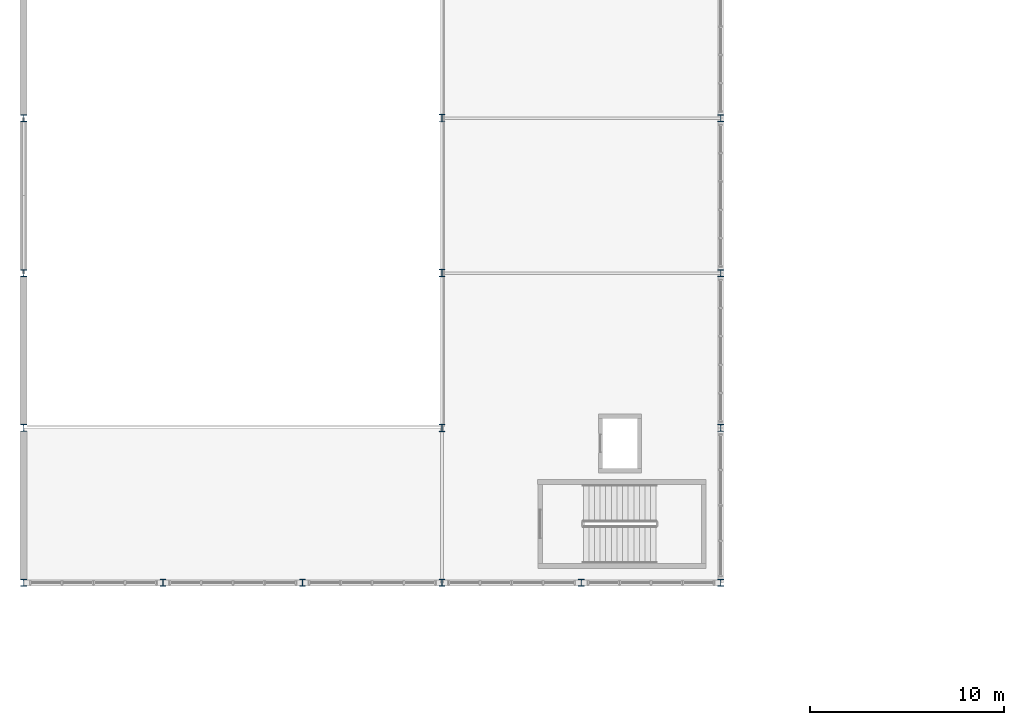
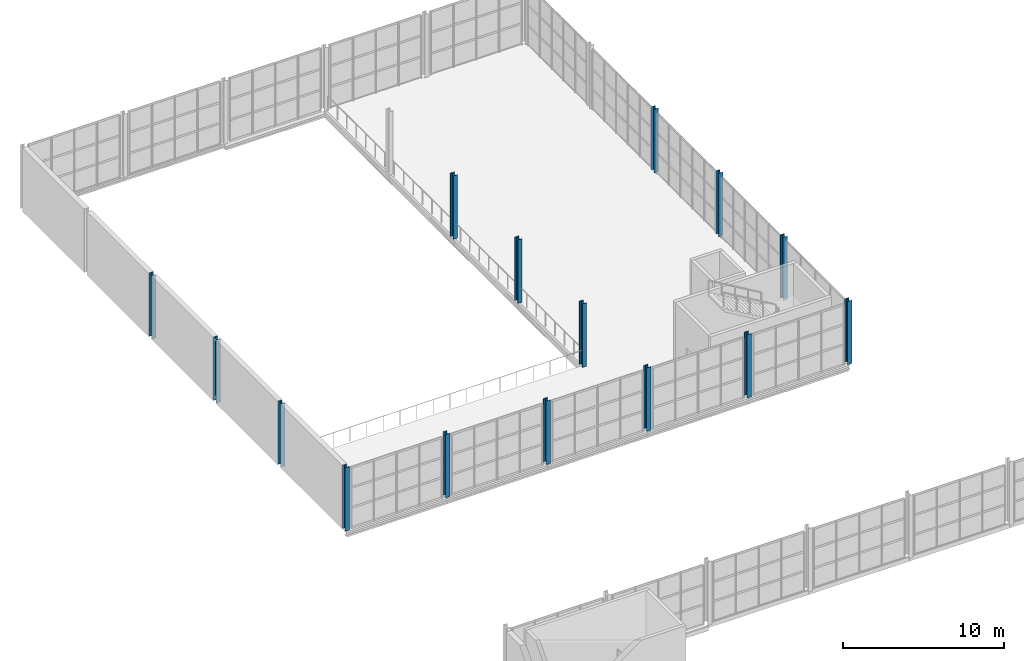
# One storey, part 9 of 143: 15 columns.
"""IFC4 building model written with IfcOpenShell, lengths in metres."""

import ifcopenshell
import ifcopenshell.guid

model = None  # the IFC model being written
_history = None  # IfcOwnerHistory: only IFC2X3 demands one
_inside = {}  # id of a spatial element -> (the spatial element, [elements in it])
_under = {}  # id of a project, library or spatial element -> (it, [spatial elements below it])
_declared = {}  # id of a project -> (the project, [libraries it declares])
_typed = {}  # id of a type object -> (the type object, [elements of that type])
_made_of = {}  # id of a material, layer set ... -> (it, [elements and type objects made of it])


def new_model(schema):
    """Start an empty IFC model of exactly this schema.

    Asked for "IFC4X3", IfcOpenShell would pick the latest addendum, in which some entities
    have other attributes; the version numbers below select the first issue.
    IFC2X3 requires an IfcOwnerHistory on every rooted entity: one is made here for all.
    """
    global model, _history
    if schema == "IFC4X3":
        model = ifcopenshell.file(schema_version=(4, 3, 0, 0))
    else:
        model = ifcopenshell.file(schema=schema)
    _inside.clear()
    _under.clear()
    _declared.clear()
    _typed.clear()
    _made_of.clear()
    _history = None
    if model.schema == "IFC2X3":
        org = make("IfcOrganization", Name="unknown")
        user = make(
            "IfcPersonAndOrganization",
            ThePerson=make("IfcPerson", FamilyName="unknown"),
            TheOrganization=org,
        )
        app = make(
            "IfcApplication",
            ApplicationDeveloper=org,
            Version="unknown",
            ApplicationFullName="unknown",
            ApplicationIdentifier="unknown",
        )
        _history = make(
            "IfcOwnerHistory",
            OwningUser=user,
            OwningApplication=app,
            ChangeAction="ADDED",
            CreationDate=0,
        )
    return model


def make(cls, **values):
    """One entity of the class cls with the attributes given. An attribute that is None is left unset."""
    return model.create_entity(
        cls, **{name: value for name, value in values.items() if value is not None}
    )


def rooted(cls, **values):
    """An entity with a GlobalId (a new one), such as an element, a storey or a relation."""
    return make(cls, GlobalId=ifcopenshell.guid.new(), OwnerHistory=_history, **values)


def si_unit(unit_type, name, prefix=None):
    """IfcSIUnit, for example si_unit("LENGTHUNIT", "METRE", prefix="MILLI")."""
    return make("IfcSIUnit", UnitType=unit_type, Prefix=prefix, Name=name)


def derived_unit(unit_type, elements):
    """IfcDerivedUnit: a product of units, each with its exponent."""
    return make(
        "IfcDerivedUnit",
        Elements=[
            make("IfcDerivedUnitElement", Unit=unit, Exponent=power)
            for unit, power in elements
        ],
        UnitType=unit_type,
    )


def assignment(units):
    """IfcUnitAssignment: the units of a project."""
    return None if units is None else make("IfcUnitAssignment", Units=units)


def point(xyz):
    """IfcCartesianPoint."""
    return None if xyz is None else make("IfcCartesianPoint", Coordinates=xyz)


def direction(xyz):
    """IfcDirection."""
    return None if xyz is None else make("IfcDirection", DirectionRatios=xyz)


def frame(location, z_axis=None, x_axis=None):
    """IfcAxis2Placement3D, a coordinate frame: its origin and axes. An axis left out is left unset."""
    return make(
        "IfcAxis2Placement3D",
        Location=point(location),
        Axis=direction(z_axis),
        RefDirection=direction(x_axis),
    )


def frame_2d(location, x_axis=None):
    """IfcAxis2Placement2D, a coordinate frame in the plane: its origin and x axis."""
    return make(
        "IfcAxis2Placement2D", Location=point(location), RefDirection=direction(x_axis)
    )


def origin():
    """The frame at (0, 0, 0) with its axes left unset."""
    return frame((0.0, 0.0, 0.0))


def origin_2d():
    """The frame at (0, 0) in the plane with its x axis left unset."""
    return frame_2d((0.0, 0.0))


def place(relative_to, where):
    """IfcLocalPlacement: puts the frame where relative to a parent placement (None: the world)."""
    return make(
        "IfcLocalPlacement", PlacementRelTo=relative_to, RelativePlacement=where
    )


def context(
    kind, dimensions, precision=None, world=None, true_north=None, identifier=None
):
    """IfcGeometricRepresentationContext, for example the 3D "Model" context."""
    return make(
        "IfcGeometricRepresentationContext",
        ContextIdentifier=identifier,
        ContextType=kind,
        CoordinateSpaceDimension=dimensions,
        Precision=precision,
        WorldCoordinateSystem=world,
        TrueNorth=true_north,
    )


def subcontext(parent, identifier, kind, view, scale=None):
    """IfcGeometricRepresentationSubContext, for example "Body" below "Model"."""
    return make(
        "IfcGeometricRepresentationSubContext",
        ContextIdentifier=identifier,
        ContextType=kind,
        ParentContext=parent,
        TargetScale=scale,
        TargetView=view,
    )


def project(units=None, contexts=None):
    """IfcProject with its units and contexts."""
    return rooted(
        "IfcProject",
        Name="project",
        RepresentationContexts=contexts,
        UnitsInContext=assignment(units),
    )


def spatial(cls, under=None, at=None, **own):
    """A site, building, storey or space (cls), placed at a placement, below another one or the project."""
    s = rooted(cls, ObjectPlacement=at, **own)
    if under is not None:
        _under.setdefault(under.id(), (under, []))[1].append(s)
    return s


def profile(cls, at=None, kind="AREA", **sizes):
    """A parametric profile (cls). Its sizes go by their IFC names, for example OverallWidth=200.0."""
    return make(cls, ProfileType=kind, Position=at, **sizes)


def i_section(**sizes):
    """IfcIShapeProfileDef."""
    return profile("IfcIShapeProfileDef", **sizes)


def extrude(swept, where, along, depth):
    """IfcExtrudedAreaSolid: the profile swept, set in the frame where, extruded along a direction by depth."""
    return make(
        "IfcExtrudedAreaSolid",
        SweptArea=swept,
        Position=where,
        ExtrudedDirection=direction(along),
        Depth=depth,
    )


def shape(context_of_items, identifier, shape_type, items):
    """IfcShapeRepresentation: the items that make up one representation, for example the "Body"."""
    return make(
        "IfcShapeRepresentation",
        ContextOfItems=context_of_items,
        RepresentationIdentifier=identifier,
        RepresentationType=shape_type,
        Items=items,
    )


def material(Name=None, Category=None):
    """IfcMaterial."""
    return make("IfcMaterial", Name=Name, Category=Category)


def material_profile(
    of_material, cross_section, Name=None, Category=None, Priority=None
):
    """IfcMaterialProfile: a cross section and its material."""
    return make(
        "IfcMaterialProfile",
        Name=Name,
        Material=of_material,
        Profile=cross_section,
        Priority=Priority,
        Category=Category,
    )


def profile_set(profiles, Name=None, composite=None):
    """IfcMaterialProfileSet."""
    return make(
        "IfcMaterialProfileSet",
        Name=Name,
        MaterialProfiles=profiles,
        CompositeProfile=composite,
    )


def made_of(thing, what):
    """Note that an element or type object is made of a material, layer set ...; save() writes the relation."""
    if what is not None:
        _made_of.setdefault(what.id(), (what, []))[1].append(thing)
    return thing


def type_object(cls, material=None, **own):
    """A type object (cls), such as IfcWallType, which elements share."""
    return made_of(rooted(cls, **own), material)


def element(
    cls,
    number,
    at=None,
    inside=None,
    cuts=None,
    type_object=None,
    material=None,
    context=None,
    identifier="Body",
    shape_type=None,
    held_by="IfcProductDefinitionShape",
    body=None,
    shapes=None,
    **own,
):
    """One element of the class cls, such as IfcWall. Its Tag is "e" and its number.

    at: its placement. inside: the storey or other place that contains it. cuts: it is an
    opening in that element (IfcRelVoidsElement). A single representation is given by context,
    identifier, shape_type and body (its items); several are given by shapes. held_by: the class
    of the entity that holds the representations. save() writes the other relations.
    """
    e = rooted(cls, Tag="e%d" % number, ObjectPlacement=at, **own)
    if body is not None:
        shapes = [shape(context, identifier, shape_type, body)]
    if shapes is not None:
        e.Representation = make(held_by, Representations=shapes)
    if inside is not None:
        _inside.setdefault(inside.id(), (inside, []))[1].append(e)
    if cuts is not None:
        rooted(
            "IfcRelVoidsElement", RelatingBuildingElement=cuts, RelatedOpeningElement=e
        )
    if type_object is not None:
        _typed.setdefault(type_object.id(), (type_object, []))[1].append(e)
    return made_of(e, material)


def aggregate(whole, parts):
    """IfcRelAggregates: a whole, such as a stair, and the parts it consists of."""
    return rooted("IfcRelAggregates", RelatingObject=whole, RelatedObjects=parts)


def save(model, path):
    """Write the relations noted so far, then the file.

    IfcRelAggregates (storeys below a building ...), IfcRelContainedInSpatialStructure (elements
    in a storey), IfcRelDefinesByType, IfcRelAssociatesMaterial and IfcRelDeclares: one each for
    every whole, place, type object, material and project.
    """
    for whole, parts in _under.values():
        aggregate(whole, parts)
    for where, things in _inside.values():
        rooted(
            "IfcRelContainedInSpatialStructure",
            RelatedElements=things,
            RelatingStructure=where,
        )
    for kind, things in _typed.values():
        rooted("IfcRelDefinesByType", RelatedObjects=things, RelatingType=kind)
    for what, things in _made_of.values():
        rooted("IfcRelAssociatesMaterial", RelatedObjects=things, RelatingMaterial=what)
    for by, libraries in _declared.values():
        rooted("IfcRelDeclares", RelatingContext=by, RelatedDefinitions=libraries)
    model.write(path)


model = new_model("IFC4")

# Units and contexts
model_context = context("Model", 3, precision=1e-05, world=origin(), true_north=direction((0.0, 1.0)))
body_context = subcontext(model_context, "Body", "Model", "MODEL_VIEW")
ifc_project = project(units=[si_unit("LENGTHUNIT", "METRE"), si_unit("AREAUNIT", "SQUARE_METRE"), si_unit("VOLUMEUNIT", "CUBIC_METRE"), si_unit("PLANEANGLEUNIT", "RADIAN"), si_unit("MASSUNIT", "GRAM", prefix="KILO"), derived_unit("THERMALTRANSMITTANCEUNIT", [(si_unit("POWERUNIT", "WATT"), 1), (si_unit("LENGTHUNIT", "METRE"), -2), (si_unit("THERMODYNAMICTEMPERATUREUNIT", "KELVIN"), -1)])], contexts=[model_context])

# Site, building, storey
site_placement = place(None, origin())
site = spatial("IfcSite", under=ifc_project, at=site_placement, CompositionType="ELEMENT")
building_placement = place(site_placement, origin())
building = spatial("IfcBuilding", under=site, at=building_placement, Name="Keldorne Ridge Multi-Sports Centre", CompositionType="ELEMENT")
storey_placement = place(building_placement, frame((0.0, 0.0, 4.800048828125)))
storey = spatial("IfcBuildingStorey", under=building, at=storey_placement, Name="L01", CompositionType="ELEMENT", Elevation=4.800048828125)

# Columns
ifc_material = material(Name="Steel S355", Category="steel")
ifc_material_profile_1 = material_profile(ifc_material, i_section(OverallWidth=0.300048828125, OverallDepth=0.360107421875, WebThickness=0.012451171875, FlangeThickness=0.0224609375, FilletRadius=0.027099609375, at=origin_2d()), Name="HEB 360")
ifc_profile_set_1 = profile_set([ifc_material_profile_1], Name="Steel S355")
column_type_1 = type_object("IfcColumnType", Name="COL-C-10", PredefinedType="COLUMN", material=ifc_profile_set_1)
for number, where, z_axis, x_axis, name in (
    (1, (6.0, 74.0, 0.0), (0.0, 0.0, 1.0), (1.0, 0.0, 0.0), "Structural column V3-PER-S-01 on L01"),
    (2, (13.199951171875, 74.0, 0.0), (0.0, 0.0, 1.0), (1.0, 0.0, 0.0), "Structural column V3-PER-S-02 on L01"),
    (3, (20.39990234375, 74.0, 0.0), (0.0, 0.0, 1.0), (1.0, 0.0, 0.0), "Structural column V3-PER-S-03 on L01"),
    (4, (27.60009765625, 74.0, 0.0), (0.0, 0.0, 1.0), (1.0, 0.0, 0.0), "Structural column V3-PER-S-04 on L01"),
    (5, (34.800048828125, 74.0, 0.0), (0.0, 0.0, 1.0), (1.0, 0.0, 0.0), "Structural column V3-PER-S-05 on L01"),
    (6, (42.0, 74.0, 0.0), (0.0, 0.0, 1.0), (1.0, 0.0, 0.0), "Structural column V3-PER-S-06 on L01"),
    (7, (6.0, 82.0, 0.0), (0.0, 0.0, 1.0), (1.0, 0.0, 0.0), "Structural column V3-SIDE-W-02 on L01"),
    (8, (42.0, 82.0, 0.0), (0.0, 0.0, 1.0), (1.0, 0.0, 0.0), "Structural column V3-SIDE-E-02 on L01"),
    (9, (6.0, 90.0, 0.0), (0.0, 0.0, 1.0), (1.0, 0.0, 0.0), "Structural column V3-SIDE-W-03 on L01"),
    (10, (42.0, 90.0, 0.0), (0.0, 0.0, 1.0), (1.0, 0.0, 0.0), "Structural column V3-SIDE-E-03 on L01"),
    (11, (6.0, 98.0, 0.0), (0.0, 0.0, 1.0), (1.0, 0.0, 0.0), "Structural column V3-SIDE-W-04 on L01"),
    (12, (42.0, 98.0, 0.0), (0.0, 0.0, 1.0), (1.0, 0.0, 0.0), "Structural column V3-SIDE-E-04 on L01"),
):
    element("IfcColumn", number, at=place(storey_placement, frame(where, z_axis=z_axis, x_axis=x_axis)), inside=storey, type_object=column_type_1, Name=name, PredefinedType="COLUMN", context=body_context, shape_type="SweptSolid", body=[
        extrude(i_section(OverallWidth=0.300048828125, OverallDepth=0.360107421875, WebThickness=0.012451171875, FlangeThickness=0.0224609375, FilletRadius=0.027099609375, at=origin_2d()), origin(), (0.0, 0.0, 1.0), 4.800048828125),
    ])
ifc_material_profile_2 = material_profile(ifc_material, i_section(OverallWidth=0.300048828125, OverallDepth=0.389892578125, WebThickness=0.010986328125, FlangeThickness=0.01904296875, FilletRadius=0.027099609375, at=origin_2d()), Name="HEA 400")
ifc_profile_set_2 = profile_set([ifc_material_profile_2], Name="Steel S355")
column_type_2 = type_object("IfcColumnType", Name="COL-C-15", PredefinedType="COLUMN", material=ifc_profile_set_2)
for number, where, z_axis, x_axis, name in (
    (13, (27.60009765625, 82.0, 0.0), (0.0, 0.0, 1.0), (1.0, 0.0, 0.0), "Structural column V3-GAL-02 on L01"),
    (14, (27.60009765625, 90.0, 0.0), (0.0, 0.0, 1.0), (1.0, 0.0, 0.0), "Structural column V3-GAL-03 on L01"),
    (15, (27.60009765625, 98.0, 0.0), (0.0, 0.0, 1.0), (1.0, 0.0, 0.0), "Structural column V3-GAL-04 on L01"),
):
    element("IfcColumn", number, at=place(storey_placement, frame(where, z_axis=z_axis, x_axis=x_axis)), inside=storey, type_object=column_type_2, Name=name, PredefinedType="COLUMN", context=body_context, shape_type="SweptSolid", body=[
        extrude(i_section(OverallWidth=0.300048828125, OverallDepth=0.389892578125, WebThickness=0.010986328125, FlangeThickness=0.01904296875, FilletRadius=0.027099609375, at=origin_2d()), origin(), (0.0, 0.0, 1.0), 4.800048828125),
    ])

save(model, "model.ifc")
